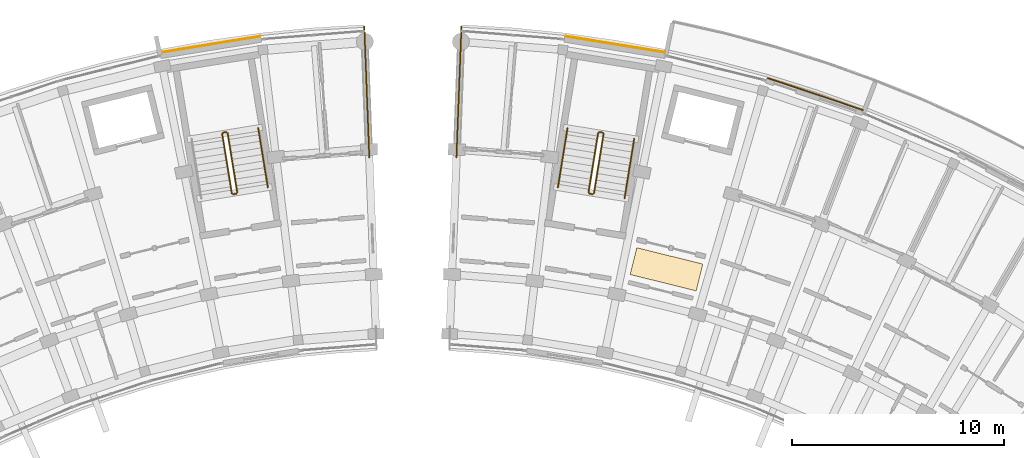
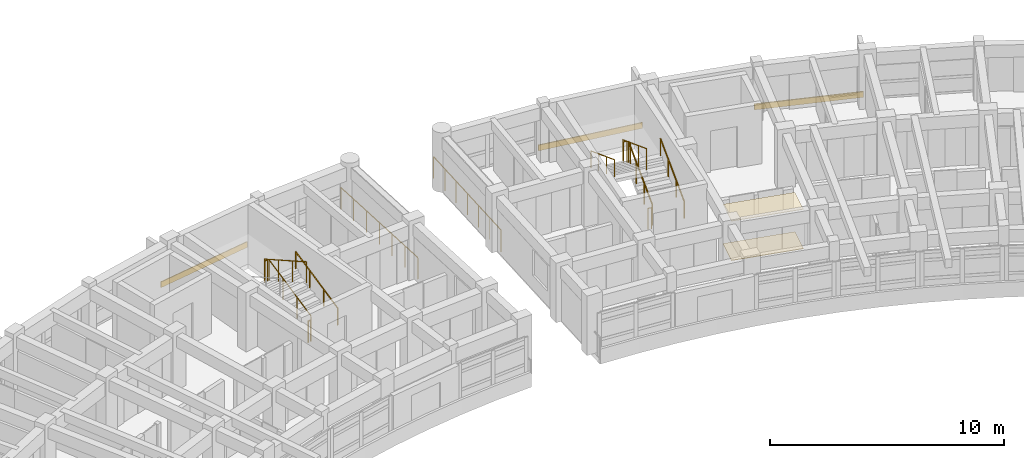
# One storey, part 44 of 54: 13 railings, 5 coverings.
"""IFC4 building model written with IfcOpenShell, lengths in metres."""

from ifc_helpers import new_model, si_unit, direction, frame, origin, origin_2d, place, context, subcontext, project, spatial, rectangle, circle, extrude, material, layer, layer_set, type_object, element, save


model = new_model("IFC4")

# Units and contexts
model_context = context("Model", 3, precision=1e-05, world=origin(), true_north=direction((0.0, 1.0)))
body_context = subcontext(model_context, "Body", "Model", "MODEL_VIEW")
ifc_project = project(units=[si_unit("LENGTHUNIT", "METRE"), si_unit("AREAUNIT", "SQUARE_METRE"), si_unit("VOLUMEUNIT", "CUBIC_METRE"), si_unit("PLANEANGLEUNIT", "RADIAN"), si_unit("MASSUNIT", "GRAM", prefix="KILO")], contexts=[model_context])

# Site, building, storey
site_placement = place(None, origin())
site = spatial("IfcSite", under=ifc_project, at=site_placement, CompositionType="ELEMENT")
building_placement = place(site_placement, origin())
building = spatial("IfcBuilding", under=site, at=building_placement, Name="Zimvara Arc Housing Community", CompositionType="ELEMENT")
storey_placement = place(building_placement, frame((0.0, 0.0, 20.5)))
storey = spatial("IfcBuildingStorey", under=building, at=storey_placement, Name="L06", CompositionType="ELEMENT", Elevation=20.5)

# Coverings
ifc_material_1 = material(Name="Pale-Gold Anodised Aluminium Cladding", Category="aluminium")
ifc_layer_1 = layer(ifc_material_1, 0.0400390625)
ifc_layer_set_1 = layer_set([ifc_layer_1], Name="Pale-Gold Anodised Aluminium Cladding")
covering_type_1 = type_object("IfcCoveringType", Name="CLD-GOLD-01", PredefinedType="CLADDING", material=ifc_layer_set_1)
covering_1_placement = place(storey_placement, frame((35.4697265625, 103.21240234375, 0.009765625), z_axis=(0.0, 0.0, 1.0), x_axis=(0.987080395872, 0.160225753504, 0.0)))
element("IfcCovering", 1, at=covering_1_placement, inside=storey, type_object=covering_type_1, Name="cld:blkA:L06:out:b8", PredefinedType="CLADDING", context=body_context, shape_type="SweptSolid", body=[
    extrude(rectangle(XDim=4.748779296875, YDim=0.0400390625, at=origin_2d()), origin(), (0.0, 0.0, 1.0), 0.300048828125),
])
ifc_material_2 = material(Name="Pale-Gold Anodised Aluminium Cladding", Category="aluminium")
ifc_layer_2 = layer(ifc_material_2, 0.044921875)
ifc_layer_set_2 = layer_set([ifc_layer_2], Name="Pale-Gold Anodised Aluminium Cladding")
covering_type_2 = type_object("IfcCoveringType", Name="CLD-GOLD-02", PredefinedType="CLADDING", material=ifc_layer_set_2)
covering_2_placement = place(storey_placement, frame((54.53076171875, 103.215087890625, 0.009765625), z_axis=(0.0, 0.0, 1.0), x_axis=(0.987080395872, -0.160225753504, 0.0)))
element("IfcCovering", 2, at=covering_2_placement, inside=storey, type_object=covering_type_2, Name="cld:blkB:L06:out:b1", PredefinedType="CLADDING", context=body_context, shape_type="SweptSolid", body=[
    extrude(rectangle(XDim=4.748779296875, YDim=0.044921875, at=origin_2d()), origin(), (0.0, 0.0, 1.0), 0.300048828125),
])
ifc_material_3 = material(Name="Pale-Gold Anodised Aluminium Cladding", Category="aluminium")
ifc_layer_3 = layer(ifc_material_3, 0.054931640625)
ifc_layer_set_3 = layer_set([ifc_layer_3], Name="Pale-Gold Anodised Aluminium Cladding")
covering_type_3 = type_object("IfcCoveringType", Name="CLD-GOLD-04", PredefinedType="CLADDING", material=ifc_layer_set_3)
covering_3_placement = place(storey_placement, frame((63.949951171875, 100.873779296875, 0.009765625), z_axis=(0.0, 0.0, 1.0), x_axis=(0.947879690069, -0.318628456287, 0.0)))
element("IfcCovering", 3, at=covering_3_placement, inside=storey, type_object=covering_type_3, Name="cld:blkB:L06:out:b3", PredefinedType="CLADDING", context=body_context, shape_type="SweptSolid", body=[
    extrude(rectangle(XDim=4.748779296875, YDim=0.054931640625, at=origin_2d()), origin(), (0.0, 0.0, 1.0), 0.300048828125),
])
ifc_material_4 = material(Name="Perforated Acoustic Ceiling Board")
ifc_layer_4 = layer(ifc_material_4, 0.02490234375)
ifc_layer_set_4 = layer_set([ifc_layer_4], Name="Perforated Acoustic Ceiling Board")
covering_type_4 = type_object("IfcCoveringType", Name="COV-CEIL-03", PredefinedType="CEILING", material=ifc_layer_set_4)
covering_4_placement = place(storey_placement, frame((56.938232421875, 92.625, 2.054931640625), z_axis=(0.0, 0.0, 1.0), x_axis=(0.240228042477, 0.970716481578, 0.0)))
element("IfcCovering", 4, at=covering_4_placement, inside=storey, type_object=covering_type_4, Name="ceil:blkB:L06", PredefinedType="CEILING", context=body_context, shape_type="SweptSolid", body=[
    extrude(rectangle(XDim=1.300048828125, YDim=3.199951171875, at=origin_2d()), origin(), (0.0, 0.0, 1.0), 0.02490234375),
])
ifc_material_5 = material(Name="Polished Coastal Sand Terrazzo")
ifc_layer_5 = layer(ifc_material_5, 0.028076171875)
ifc_layer_set_5 = layer_set([ifc_layer_5], Name="Polished Coastal Sand Terrazzo")
covering_type_5 = type_object("IfcCoveringType", Name="COV-FLOR-03", PredefinedType="FLOORING", material=ifc_layer_set_5)
covering_5_placement = place(storey_placement, frame((56.938232421875, 92.625, 0.0), z_axis=(0.0, 0.0, 1.0), x_axis=(0.240228042477, 0.970716481578, 0.0)))
element("IfcCovering", 5, at=covering_5_placement, inside=storey, type_object=covering_type_5, Name="flor:blkB:L06", PredefinedType="FLOORING", context=body_context, shape_type="SweptSolid", body=[
    extrude(rectangle(XDim=1.300048828125, YDim=3.199951171875, at=origin_2d()), origin(), (0.0, 0.0, 1.0), 0.028076171875),
])

# Railings
ifc_material_6 = material(Name="Anodised Aluminium AW-6063", Category="aluminium")
railing_type_1 = type_object("IfcRailingType", Name="RLG-BAL-1120", PredefinedType="BALUSTRADE", material=ifc_material_6)
railing_1_placement = place(storey_placement, frame((36.732421875, 96.243896484375, 0.155029296875)))
element("IfcRailing", 6, at=railing_1_placement, inside=storey, type_object=railing_type_1, Name="L06 ST-A2 stair guard 1", PredefinedType="BALUSTRADE", context=body_context, shape_type="SweptSolid", body=[
    extrude(circle(Radius=0.02392578125, at=origin_2d()), frame((0.0, 0.0, 1.09619140625), z_axis=(-0.143721784145, 0.885666177347, 0.441519502474), x_axis=(-0.987087819028, -0.160180016, 0.0)), (0.0, 0.0, 1.0), 3.15966796875),
    extrude(circle(Radius=0.02099609375, at=origin_2d()), origin(), (0.0, 0.0, 1.0), 1.072021484375),
    extrude(circle(Radius=0.02099609375, at=origin_2d()), frame((-0.1513671875, 0.932861328125, 0.465087890625)), (0.0, 0.0, 1.0), 1.072021484375),
    extrude(circle(Radius=0.02099609375, at=origin_2d()), frame((-0.302734375, 1.865478515625, 0.929931640625)), (0.0, 0.0, 1.0), 1.072021484375),
    extrude(circle(Radius=0.02099609375, at=origin_2d()), frame((-0.4541015625, 2.79833984375, 1.39501953125)), (0.0, 0.0, 1.0), 1.072021484375),
])
railing_2_placement = place(storey_placement, frame((36.220947265625, 99.08349609375, 1.550048828125)))
element("IfcRailing", 7, at=railing_2_placement, inside=storey, type_object=railing_type_1, Name="L06 ST-A2 stair guard 2", PredefinedType="BALUSTRADE", context=body_context, shape_type="SweptSolid", body=[
    extrude(circle(Radius=0.02392578125, at=origin_2d()), frame((0.0, 0.0, 1.09619140625), z_axis=(-0.987085924886, -0.160191687964, 0.0), x_axis=(0.160191687964, -0.987085924886, 0.0)), (0.0, 0.0, 1.0), 0.159912109375),
    extrude(circle(Radius=0.02099609375, at=origin_2d()), origin(), (0.0, 0.0, 1.0), 1.072021484375),
    extrude(circle(Radius=0.02099609375, at=origin_2d()), frame((-0.157958984375, -0.025634765625, 0.0)), (0.0, 0.0, 1.0), 1.072021484375),
])
railing_3_placement = place(storey_placement, frame((36.021728515625, 99.00048828125, 1.705078125)))
element("IfcRailing", 8, at=railing_3_placement, inside=storey, type_object=railing_type_1, Name="L06 ST-A2 stair guard 3", PredefinedType="BALUSTRADE", context=body_context, shape_type="SweptSolid", body=[
    extrude(circle(Radius=0.02392578125, at=origin_2d()), frame((0.0, 0.0, 1.09619140625), z_axis=(0.143721784145, -0.885666177347, 0.441519502474), x_axis=(0.987087819028, 0.160180016, 0.0)), (0.0, 0.0, 1.0), 3.15966796875),
    extrude(circle(Radius=0.02099609375, at=origin_2d()), origin(), (0.0, 0.0, 1.0), 1.072021484375),
    extrude(circle(Radius=0.02099609375, at=origin_2d()), frame((0.1513671875, -0.932861328125, 0.465087890625)), (0.0, 0.0, 1.0), 1.072021484375),
    extrude(circle(Radius=0.02099609375, at=origin_2d()), frame((0.302734375, -1.865478515625, 0.929931640625)), (0.0, 0.0, 1.0), 1.072021484375),
    extrude(circle(Radius=0.02099609375, at=origin_2d()), frame((0.4541015625, -2.79833984375, 1.39501953125)), (0.0, 0.0, 1.0), 1.072021484375),
])
railing_4_placement = place(storey_placement, frame((36.691162109375, 96.1865234375, 0.0)))
element("IfcRailing", 9, at=railing_4_placement, inside=storey, type_object=railing_type_1, Name="L06 ST-A2 stair guard 4", PredefinedType="BALUSTRADE", context=body_context, shape_type="SweptSolid", body=[
    extrude(circle(Radius=0.02392578125, at=origin_2d()), frame((0.0, 0.0, 1.09619140625), z_axis=(-0.987085924886, -0.160191687964, 0.0), x_axis=(0.160191687964, -0.987085924886, 0.0)), (0.0, 0.0, 1.0), 0.159912109375),
    extrude(circle(Radius=0.02099609375, at=origin_2d()), origin(), (0.0, 0.0, 1.0), 1.072021484375),
    extrude(circle(Radius=0.02099609375, at=origin_2d()), frame((-0.157958984375, -0.025634765625, 0.0)), (0.0, 0.0, 1.0), 1.072021484375),
])
railing_5_placement = place(storey_placement, frame((53.524169921875, 96.2021484375, 0.155029296875)))
element("IfcRailing", 10, at=railing_5_placement, inside=storey, type_object=railing_type_1, Name="L06 ST-B1 stair guard 1", PredefinedType="BALUSTRADE", context=body_context, shape_type="SweptSolid", body=[
    extrude(circle(Radius=0.02392578125, at=origin_2d()), frame((0.0, 0.0, 1.09619140625), z_axis=(0.143721784145, 0.885666177347, 0.441519502474), x_axis=(-0.987087819028, 0.160180016, 0.0)), (0.0, 0.0, 1.0), 3.15966796875),
    extrude(circle(Radius=0.02099609375, at=origin_2d()), origin(), (0.0, 0.0, 1.0), 1.072021484375),
    extrude(circle(Radius=0.02099609375, at=origin_2d()), frame((0.1513671875, 0.932861328125, 0.465087890625)), (0.0, 0.0, 1.0), 1.072021484375),
    extrude(circle(Radius=0.02099609375, at=origin_2d()), frame((0.302734375, 1.865478515625, 0.929931640625)), (0.0, 0.0, 1.0), 1.072021484375),
    extrude(circle(Radius=0.02099609375, at=origin_2d()), frame((0.4541015625, 2.79833984375, 1.39501953125)), (0.0, 0.0, 1.0), 1.072021484375),
])
railing_6_placement = place(storey_placement, frame((53.93701171875, 99.057861328125, 1.550048828125)))
element("IfcRailing", 11, at=railing_6_placement, inside=storey, type_object=railing_type_1, Name="L06 ST-B1 stair guard 2", PredefinedType="BALUSTRADE", context=body_context, shape_type="SweptSolid", body=[
    extrude(circle(Radius=0.02392578125, at=origin_2d()), frame((0.0, 0.0, 1.09619140625), z_axis=(-0.987085924886, 0.160191687964, 0.0), x_axis=(-0.160191687964, -0.987085924886, 0.0)), (0.0, 0.0, 1.0), 0.159912109375),
    extrude(circle(Radius=0.02099609375, at=origin_2d()), origin(), (0.0, 0.0, 1.0), 1.072021484375),
    extrude(circle(Radius=0.02099609375, at=origin_2d()), frame((-0.157958984375, 0.025634765625, 0.0)), (0.0, 0.0, 1.0), 1.072021484375),
])
railing_7_placement = place(storey_placement, frame((53.7216796875, 99.042236328125, 1.705078125)))
element("IfcRailing", 12, at=railing_7_placement, inside=storey, type_object=railing_type_1, Name="L06 ST-B1 stair guard 3", PredefinedType="BALUSTRADE", context=body_context, shape_type="SweptSolid", body=[
    extrude(circle(Radius=0.02392578125, at=origin_2d()), frame((0.0, 0.0, 1.09619140625), z_axis=(-0.143721784145, -0.885666177347, 0.441519502474), x_axis=(0.987087819028, -0.160180016, 0.0)), (0.0, 0.0, 1.0), 3.15966796875),
    extrude(circle(Radius=0.02099609375, at=origin_2d()), origin(), (0.0, 0.0, 1.0), 1.072021484375),
    extrude(circle(Radius=0.02099609375, at=origin_2d()), frame((-0.1513671875, -0.932861328125, 0.465087890625)), (0.0, 0.0, 1.0), 1.072021484375),
    extrude(circle(Radius=0.02099609375, at=origin_2d()), frame((-0.302734375, -1.865478515625, 0.929931640625)), (0.0, 0.0, 1.0), 1.072021484375),
    extrude(circle(Radius=0.02099609375, at=origin_2d()), frame((-0.4541015625, -2.79833984375, 1.39501953125)), (0.0, 0.0, 1.0), 1.072021484375),
])
railing_8_placement = place(storey_placement, frame((53.466796875, 96.160888671875, 0.0)))
element("IfcRailing", 13, at=railing_8_placement, inside=storey, type_object=railing_type_1, Name="L06 ST-B1 stair guard 4", PredefinedType="BALUSTRADE", context=body_context, shape_type="SweptSolid", body=[
    extrude(circle(Radius=0.02392578125, at=origin_2d()), frame((0.0, 0.0, 1.09619140625), z_axis=(-0.987085924886, 0.160191687964, 0.0), x_axis=(-0.160191687964, -0.987085924886, 0.0)), (0.0, 0.0, 1.0), 0.159912109375),
    extrude(circle(Radius=0.02099609375, at=origin_2d()), origin(), (0.0, 0.0, 1.0), 1.072021484375),
    extrude(circle(Radius=0.02099609375, at=origin_2d()), frame((-0.157958984375, 0.025634765625, 0.0)), (0.0, 0.0, 1.0), 1.072021484375),
])
ifc_material_7 = material(Name="Anodised Aluminium AW-6063", Category="aluminium")
railing_type_2 = type_object("IfcRailingType", Name="RLG-BAL-1150", PredefinedType="BALUSTRADE", material=ifc_material_7)
railing_9_placement = place(storey_placement, frame((42.948486328125, 97.900634765625, 0.0)))
element("IfcRailing", 14, at=railing_9_placement, inside=storey, type_object=railing_type_2, Name="rlg:blkA:L06:gable_out:gN", PredefinedType="BALUSTRADE", context=body_context, shape_type="SweptSolid", body=[
    extrude(circle(Radius=0.02392578125, at=origin_2d()), frame((0.0, 0.0, 1.1259765625), z_axis=(-0.038364627964, 0.99926380667, 0.0), x_axis=(-0.99926380667, -0.038364627964, 0.0)), (0.0, 0.0, 1.0), 6.16015625),
    extrude(circle(Radius=0.02099609375, at=origin_2d()), origin(), (0.0, 0.0, 1.0), 1.101806640625),
    extrude(circle(Radius=0.02099609375, at=origin_2d()), frame((-0.039306640625, 1.02587890625, 0.0)), (0.0, 0.0, 1.0), 1.101806640625),
    extrude(circle(Radius=0.02099609375, at=origin_2d()), frame((-0.078857421875, 2.0517578125, 0.0)), (0.0, 0.0, 1.0), 1.101806640625),
    extrude(circle(Radius=0.02099609375, at=origin_2d()), frame((-0.1181640625, 3.07763671875, 0.0)), (0.0, 0.0, 1.0), 1.101806640625),
    extrude(circle(Radius=0.02099609375, at=origin_2d()), frame((-0.157470703125, 4.103759765625, 0.0)), (0.0, 0.0, 1.0), 1.101806640625),
    extrude(circle(Radius=0.02099609375, at=origin_2d()), frame((-0.197021484375, 5.129638671875, 0.0)), (0.0, 0.0, 1.0), 1.101806640625),
    extrude(circle(Radius=0.02099609375, at=origin_2d()), frame((-0.236328125, 6.155517578125, 0.0)), (0.0, 0.0, 1.0), 1.101806640625),
])
railing_10_placement = place(storey_placement, frame((47.051513671875, 97.900634765625, 0.0)))
element("IfcRailing", 15, at=railing_10_placement, inside=storey, type_object=railing_type_2, Name="rlg:blkB:L06:gable_out:g0", PredefinedType="BALUSTRADE", context=body_context, shape_type="SweptSolid", body=[
    extrude(circle(Radius=0.02392578125, at=origin_2d()), frame((0.0, 0.0, 1.1259765625), z_axis=(0.038364627964, 0.99926380667, 0.0), x_axis=(-0.99926380667, 0.038364627964, 0.0)), (0.0, 0.0, 1.0), 6.16015625),
    extrude(circle(Radius=0.02099609375, at=origin_2d()), origin(), (0.0, 0.0, 1.0), 1.101806640625),
    extrude(circle(Radius=0.02099609375, at=origin_2d()), frame((0.039306640625, 1.02587890625, 0.0)), (0.0, 0.0, 1.0), 1.101806640625),
    extrude(circle(Radius=0.02099609375, at=origin_2d()), frame((0.078857421875, 2.0517578125, 0.0)), (0.0, 0.0, 1.0), 1.101806640625),
    extrude(circle(Radius=0.02099609375, at=origin_2d()), frame((0.1181640625, 3.07763671875, 0.0)), (0.0, 0.0, 1.0), 1.101806640625),
    extrude(circle(Radius=0.02099609375, at=origin_2d()), frame((0.157470703125, 4.103759765625, 0.0)), (0.0, 0.0, 1.0), 1.101806640625),
    extrude(circle(Radius=0.02099609375, at=origin_2d()), frame((0.197021484375, 5.129638671875, 0.0)), (0.0, 0.0, 1.0), 1.101806640625),
    extrude(circle(Radius=0.02099609375, at=origin_2d()), frame((0.236328125, 6.155517578125, 0.0)), (0.0, 0.0, 1.0), 1.101806640625),
])
ifc_material_8 = material(Name="Anodised Aluminium AW-6063", Category="aluminium")
railing_type_3 = type_object("IfcRailingType", Name="RLG-HND-900", PredefinedType="HANDRAIL", material=ifc_material_8)
railing_11_placement = place(storey_placement, frame((38.173583984375, 96.477783203125, 0.155029296875)))
element("IfcRailing", 16, at=railing_11_placement, inside=storey, type_object=railing_type_3, Name="L06 ST-A2 stair handrail 1", PredefinedType="HANDRAIL", context=body_context, shape_type="SweptSolid", body=[
    extrude(circle(Radius=0.02392578125, at=origin_2d()), frame((0.0, 0.0, 0.8759765625), z_axis=(-0.143721784145, 0.885666177347, 0.441519502474), x_axis=(-0.987087819028, -0.160180016, 0.0)), (0.0, 0.0, 1.0), 3.15966796875),
    extrude(circle(Radius=0.02099609375, at=origin_2d()), origin(), (0.0, 0.0, 1.0), 0.851806640625),
    extrude(circle(Radius=0.02099609375, at=origin_2d()), frame((-0.1513671875, 0.932861328125, 0.465087890625)), (0.0, 0.0, 1.0), 0.851806640625),
    extrude(circle(Radius=0.02099609375, at=origin_2d()), frame((-0.302734375, 1.865478515625, 0.929931640625)), (0.0, 0.0, 1.0), 0.851806640625),
    extrude(circle(Radius=0.02099609375, at=origin_2d()), frame((-0.4541015625, 2.79833984375, 1.39501953125)), (0.0, 0.0, 1.0), 0.851806640625),
])
railing_12_placement = place(storey_placement, frame((54.96533203125, 95.96826171875, 0.155029296875)))
element("IfcRailing", 17, at=railing_12_placement, inside=storey, type_object=railing_type_3, Name="L06 ST-B1 stair handrail 1", PredefinedType="HANDRAIL", context=body_context, shape_type="SweptSolid", body=[
    extrude(circle(Radius=0.02392578125, at=origin_2d()), frame((0.0, 0.0, 0.8759765625), z_axis=(0.143721784145, 0.885666177347, 0.441519502474), x_axis=(-0.987087819028, 0.160180016, 0.0)), (0.0, 0.0, 1.0), 3.15966796875),
    extrude(circle(Radius=0.02099609375, at=origin_2d()), origin(), (0.0, 0.0, 1.0), 0.851806640625),
    extrude(circle(Radius=0.02099609375, at=origin_2d()), frame((0.1513671875, 0.932861328125, 0.465087890625)), (0.0, 0.0, 1.0), 0.851806640625),
    extrude(circle(Radius=0.02099609375, at=origin_2d()), frame((0.302734375, 1.865478515625, 0.929931640625)), (0.0, 0.0, 1.0), 0.851806640625),
    extrude(circle(Radius=0.02099609375, at=origin_2d()), frame((0.4541015625, 2.79833984375, 1.39501953125)), (0.0, 0.0, 1.0), 0.851806640625),
])
railing_13_placement = place(storey_placement, frame((52.280517578125, 99.276123046875, 1.705078125)))
element("IfcRailing", 18, at=railing_13_placement, inside=storey, type_object=railing_type_3, Name="L06 ST-B1 stair handrail 2", PredefinedType="HANDRAIL", context=body_context, shape_type="SweptSolid", body=[
    extrude(circle(Radius=0.02392578125, at=origin_2d()), frame((0.0, 0.0, 0.8759765625), z_axis=(-0.143721784145, -0.885666177347, 0.441519502474), x_axis=(0.987087819028, -0.160180016, 0.0)), (0.0, 0.0, 1.0), 3.15966796875),
    extrude(circle(Radius=0.02099609375, at=origin_2d()), origin(), (0.0, 0.0, 1.0), 0.851806640625),
    extrude(circle(Radius=0.02099609375, at=origin_2d()), frame((-0.1513671875, -0.932861328125, 0.465087890625)), (0.0, 0.0, 1.0), 0.851806640625),
    extrude(circle(Radius=0.02099609375, at=origin_2d()), frame((-0.302734375, -1.865478515625, 0.929931640625)), (0.0, 0.0, 1.0), 0.851806640625),
    extrude(circle(Radius=0.02099609375, at=origin_2d()), frame((-0.4541015625, -2.79833984375, 1.39501953125)), (0.0, 0.0, 1.0), 0.851806640625),
])

save(model, "model.ifc")
